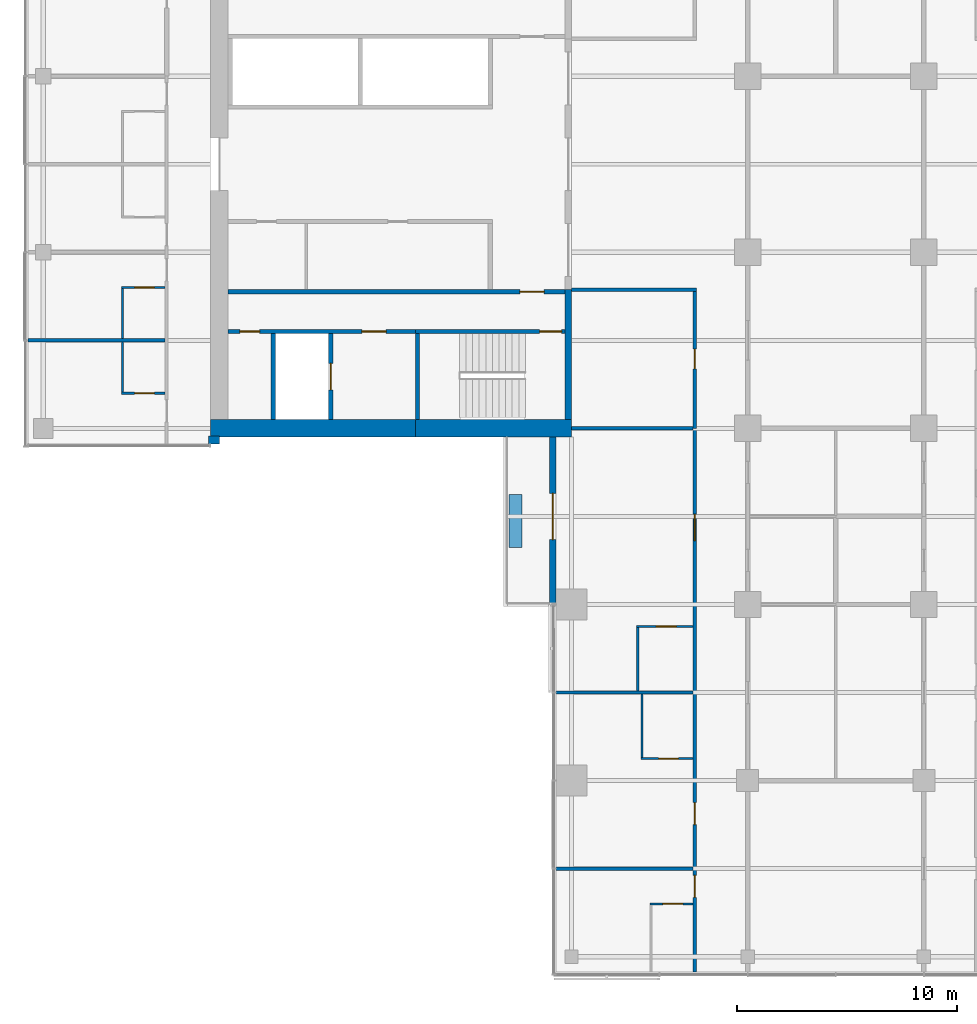
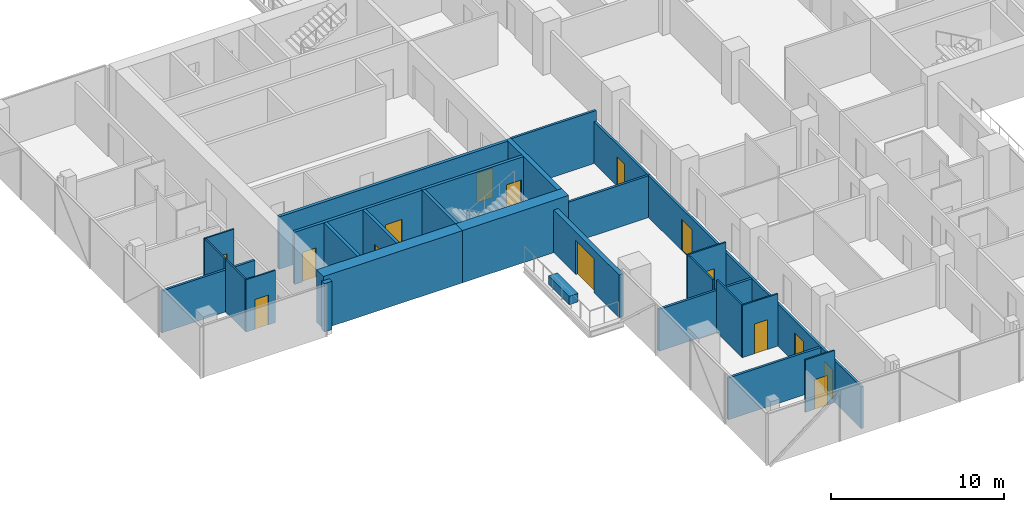
# One storey, part 15 of 27: 28 walls, 15 doors, 15 openings.
"""IFC4 building model written with IfcOpenShell, lengths in metres."""

from ifc_helpers import new_model, si_unit, direction, frame, frame_2d, origin, place, context, subcontext, project, spatial, rectangle, extrude, material, layer, layer_set, constituent, constituent_set, type_object, element, fill, save


model = new_model("IFC4")

# Units and contexts
model_context = context("Model", 3, precision=1e-05, world=origin(), true_north=direction((0.0, 1.0)))
body_context = subcontext(model_context, "Body", "Model", "MODEL_VIEW")
ifc_project = project(units=[si_unit("LENGTHUNIT", "METRE"), si_unit("AREAUNIT", "SQUARE_METRE"), si_unit("VOLUMEUNIT", "CUBIC_METRE"), si_unit("PLANEANGLEUNIT", "RADIAN"), si_unit("MASSUNIT", "GRAM", prefix="KILO")], contexts=[model_context])

# Site, building, storey
site_placement = place(None, origin())
site = spatial("IfcSite", under=ifc_project, at=site_placement, CompositionType="ELEMENT")
building_placement = place(site_placement, origin())
building = spatial("IfcBuilding", under=site, at=building_placement, Name="Crosswind Convention Tower", CompositionType="ELEMENT")
storey_placement = place(building_placement, frame((0.0, 0.0, 75.699951171875)))
storey = spatial("IfcBuildingStorey", under=building, at=storey_placement, Name="L13", CompositionType="ELEMENT", Elevation=75.699951171875)

# Wall
ifc_material_1 = material(Name="Plasterboard partition", Category="gypsum")
ifc_layer_1 = layer(ifc_material_1, 0.14990234375)
ifc_layer_set_1 = layer_set([ifc_layer_1], Name="CORRIDOR WALL 150")
wall_type_1 = type_object("IfcWallType", Name="CORRIDOR WALL 150", PredefinedType="PARTITIONING", material=ifc_layer_set_1)
wall_1_placement = place(storey_placement, frame((113.0, 94.300048828125, 0.0), z_axis=(0.0, 0.0, 1.0), x_axis=(1.0, 0.0, 0.0)))
element("IfcWall", 1, at=wall_1_placement, inside=storey, type_object=wall_type_1, Name="Corridor Wall 23", PredefinedType="PARTITIONING", context=body_context, shape_type="SweptSolid", body=[
    extrude(rectangle(XDim=5.675048828125, YDim=0.14990234375, at=frame_2d((2.83740234375, 0.0))), origin(), (0.0, 0.0, 1.0), 3.699951171875),
])

# Wall, opening, door
wall_2_placement = place(storey_placement, frame((118.60009765625, 88.0, 0.0), z_axis=(0.0, 0.0, 1.0), x_axis=(0.0, 1.0, 0.0)))
wall_2 = element("IfcWall", 2, at=wall_2_placement, inside=storey, type_object=wall_type_1, Name="Corridor Wall 74", PredefinedType="PARTITIONING", context=body_context, shape_type="SweptSolid", body=[
    extrude(rectangle(XDim=6.22509765625, YDim=0.14990234375, at=frame_2d((3.112548828125, 0.0))), origin(), (0.0, 0.0, 1.0), 2.95654296875),
])
opening_1_placement = place(wall_2_placement, frame((2.699951171875, 0.0, 0.0)))
opening_1 = element("IfcOpeningElement", 3, at=opening_1_placement, cuts=wall_2, Name="Opening 13.004", PredefinedType="OPENING", context=body_context, shape_type="SweptSolid", body=[
    extrude(rectangle(XDim=0.89990234375, YDim=2.10009765625, at=frame_2d((0.449951171875, 1.050048828125))), frame((0.0, 0.0849609375, 0.0), z_axis=(0.0, -1.0, 0.0), x_axis=(1.0, 0.0, 0.0)), (0.0, 0.0, 1.0), 0.169921875),
])
ifc_material_2 = material(Name="Timber door", Category="wood")
door_type_1 = type_object("IfcDoorType", Name="WC DOOR 900X2100", OperationType="NOTDEFINED", PredefinedType="DOOR", material=ifc_material_2)
door_1_placement = place(opening_1_placement, origin())
door_1 = element("IfcDoor", 4, at=door_1_placement, inside=storey, type_object=door_type_1, Name="Door 13.004", ObjectType="D7", OperationType="SINGLE_SWING_RIGHT", OverallHeight=2.10009765625, OverallWidth=0.89990234375, PredefinedType="DOOR", context=body_context, shape_type="SweptSolid", body=[
    extrude(rectangle(XDim=0.89990234375, YDim=2.10009765625, at=frame_2d((0.449951171875, 1.050048828125))), frame((0.0, 0.02490234375, 0.0), z_axis=(0.0, -1.0, 0.0), x_axis=(1.0, 0.0, 0.0)), (0.0, 0.0, 1.0), 0.050048828125),
])
fill(opening_1, door_1)

# Wall
ifc_material_3 = material(Name="Concrete C50/60", Category="concrete")
ifc_layer_2 = layer(ifc_material_3, 0.300048828125)
ifc_layer_set_2 = layer_set([ifc_layer_2], Name="Concrete C50/60")
wall_type_2 = type_object("IfcWallType", Name="Concrete inner core wall 300", PredefinedType="SHEAR", material=ifc_layer_set_2)
wall_3_placement = place(storey_placement, frame((112.85009765625, 94.300048828125, 0.0), z_axis=(0.0, 0.0, 1.0), x_axis=(0.0, -1.0, 0.0)))
element("IfcWall", 5, at=wall_3_placement, inside=storey, type_object=wall_type_2, Name="Wall EP W L13", PredefinedType="SHEAR", context=body_context, shape_type="SweptSolid", body=[
    extrude(rectangle(XDim=5.900146484375, YDim=0.300048828125, at=frame_2d((2.9501953125, 0.0))), origin(), (0.0, 0.0, 1.0), 3.699951171875),
])

# Wall, opening, door
ifc_layer_3 = layer(ifc_material_3, 0.199951171875)
ifc_layer_set_3 = layer_set([ifc_layer_3], Name="Concrete C50/60")
wall_type_3 = type_object("IfcWallType", Name="Concrete shaft and stair wall 200", PredefinedType="SHEAR", material=ifc_layer_set_3)
wall_4_placement = place(storey_placement, frame((112.699951171875, 94.199951171875, 0.0), z_axis=(0.0, 0.0, 1.0), x_axis=(-1.0, 0.0, 0.0)))
wall_4 = element("IfcWall", 6, at=wall_4_placement, inside=storey, type_object=wall_type_3, Name="Wall HP W L13", PredefinedType="SHEAR", context=body_context, shape_type="SweptSolid", body=[
    extrude(rectangle(XDim=15.300048828125, YDim=0.199951171875, at=frame_2d((7.64990234375, 0.0))), origin(), (0.0, 0.0, 1.0), 3.699951171875),
])
opening_2_placement = place(wall_4_placement, frame((0.949951171875, 0.0, 0.0)))
opening_2 = element("IfcOpeningElement", 7, at=opening_2_placement, cuts=wall_4, Name="Opening D104", PredefinedType="OPENING", context=body_context, shape_type="SweptSolid", body=[
    extrude(rectangle(XDim=1.10009765625, YDim=2.10009765625, at=frame_2d((0.550048828125, 1.050048828125))), frame((0.0, 0.10986328125, 0.0), z_axis=(0.0, -1.0, 0.0), x_axis=(1.0, 0.0, 0.0)), (0.0, 0.0, 1.0), 0.219970703125),
])
ifc_material_4 = material(Name="Steel fire door", Category="steel")
door_type_2 = type_object("IfcDoorType", Name="Fire-rated single door 1100x2100", OperationType="NOTDEFINED", PredefinedType="DOOR", material=ifc_material_4)
door_2_placement = place(opening_2_placement, origin())
door_2 = element("IfcDoor", 8, at=door_2_placement, inside=storey, type_object=door_type_2, Name="Corridor door L13", ObjectType="D104", OperationType="SINGLE_SWING_LEFT", OverallHeight=2.10009765625, OverallWidth=1.10009765625, PredefinedType="DOOR", context=body_context, shape_type="SweptSolid", body=[
    extrude(rectangle(XDim=1.10009765625, YDim=2.10009765625, at=frame_2d((0.550048828125, 1.050048828125))), frame((0.0, 0.02490234375, 0.0), z_axis=(0.0, -1.0, 0.0), x_axis=(1.0, 0.0, 0.0)), (0.0, 0.0, 1.0), 0.050048828125),
])
fill(opening_2, door_2)

# Wall
wall_5_placement = place(storey_placement, frame((106.0, 92.300048828125, 0.0), z_axis=(0.0, 0.0, 1.0), x_axis=(0.0, -1.0, 0.0)))
element("IfcWall", 9, at=wall_5_placement, inside=storey, type_object=wall_type_3, Name="Wall PSE W L13", PredefinedType="SHEAR", context=body_context, shape_type="SweptSolid", body=[
    extrude(rectangle(XDim=3.900146484375, YDim=0.199951171875, at=frame_2d((1.9501953125, 0.0))), origin(), (0.0, 0.0, 1.0), 3.699951171875),
])

# Wall, opening, door
wall_6_placement = place(storey_placement, frame((102.050048828125, 92.300048828125, 0.0), z_axis=(0.0, 0.0, 1.0), x_axis=(0.0, -1.0, 0.0)))
wall_6 = element("IfcWall", 10, at=wall_6_placement, inside=storey, type_object=wall_type_3, Name="Wall PFLW W L13", PredefinedType="SHEAR", context=body_context, shape_type="SweptSolid", body=[
    extrude(rectangle(XDim=3.900146484375, YDim=0.199951171875, at=frame_2d((1.9501953125, 0.0))), origin(), (0.0, 0.0, 1.0), 3.699951171875),
])
opening_3_placement = place(wall_6_placement, frame((1.35009765625, 0.0, 0.0)))
opening_3 = element("IfcOpeningElement", 11, at=opening_3_placement, cuts=wall_6, Name="Opening LD1", PredefinedType="OPENING", context=body_context, shape_type="SweptSolid", body=[
    extrude(rectangle(XDim=1.199951171875, YDim=2.10009765625, at=frame_2d((0.60009765625, 1.050048828125))), frame((0.0, 0.10986328125, 0.0), z_axis=(0.0, -1.0, 0.0), x_axis=(1.0, 0.0, 0.0)), (0.0, 0.0, 1.0), 0.219970703125),
])
ifc_material_5 = material(Name="Stainless steel", Category="steel")
door_type_3 = type_object("IfcDoorType", Name="Lift landing door 1200x2100", OperationType="DOUBLE_DOOR_SLIDING", PredefinedType="DOOR", material=ifc_material_5)
door_3_placement = place(opening_3_placement, origin())
door_3 = element("IfcDoor", 12, at=door_3_placement, inside=storey, type_object=door_type_3, Name="Landing door FF2 L13", ObjectType="LD1", OperationType="DOUBLE_DOOR_SLIDING", OverallHeight=2.10009765625, OverallWidth=1.199951171875, PredefinedType="DOOR", context=body_context, shape_type="SweptSolid", body=[
    extrude(rectangle(XDim=1.199951171875, YDim=2.10009765625, at=frame_2d((0.60009765625, 1.050048828125))), frame((0.0, 0.02490234375, 0.0), z_axis=(0.0, -1.0, 0.0), x_axis=(1.0, 0.0, 0.0)), (0.0, 0.0, 1.0), 0.050048828125),
])
fill(opening_3, door_3)

# Wall
wall_7_placement = place(storey_placement, frame((99.449951171875, 92.300048828125, 0.0), z_axis=(0.0, 0.0, 1.0), x_axis=(0.0, -1.0, 0.0)))
element("IfcWall", 13, at=wall_7_placement, inside=storey, type_object=wall_type_3, Name="Wall PFSE W L13", PredefinedType="SHEAR", context=body_context, shape_type="SweptSolid", body=[
    extrude(rectangle(XDim=3.900146484375, YDim=0.199951171875, at=frame_2d((1.9501953125, 0.0))), origin(), (0.0, 0.0, 1.0), 3.699951171875),
])

# Wall, opening, door
wall_8_placement = place(storey_placement, frame((112.699951171875, 92.39990234375, 0.0), z_axis=(0.0, 0.0, 1.0), x_axis=(-1.0, 0.0, 0.0)))
wall_8 = element("IfcWall", 14, at=wall_8_placement, inside=storey, type_object=wall_type_3, Name="Wall PCW W L13", PredefinedType="SHEAR", context=body_context, shape_type="SweptSolid", body=[
    extrude(rectangle(XDim=6.800048828125, YDim=0.199951171875, at=frame_2d((3.39990234375, 0.0))), origin(), (0.0, 0.0, 1.0), 3.699951171875),
])
opening_4_placement = place(wall_8_placement, frame((0.14990234375, 0.0, 0.0)))
opening_4 = element("IfcOpeningElement", 15, at=opening_4_placement, cuts=wall_8, Name="Opening D103", PredefinedType="OPENING", context=body_context, shape_type="SweptSolid", body=[
    extrude(rectangle(XDim=1.0, YDim=2.10009765625, at=frame_2d((0.5, 1.050048828125))), frame((0.0, 0.10986328125, 0.0), z_axis=(0.0, -1.0, 0.0), x_axis=(1.0, 0.0, 0.0)), (0.0, 0.0, 1.0), 0.219970703125),
])
door_type_4 = type_object("IfcDoorType", Name="Fire-rated single door 1000x2100", OperationType="NOTDEFINED", PredefinedType="DOOR", material=ifc_material_4)
door_4_placement = place(opening_4_placement, origin())
door_4 = element("IfcDoor", 16, at=door_4_placement, inside=storey, type_object=door_type_4, Name="Stair ST3 door L13", ObjectType="D103", OperationType="SINGLE_SWING_LEFT", OverallHeight=2.10009765625, OverallWidth=1.0, PredefinedType="DOOR", context=body_context, shape_type="SweptSolid", body=[
    extrude(rectangle(XDim=1.0, YDim=2.10009765625, at=frame_2d((0.5, 1.050048828125))), frame((0.0, 0.02490234375, 0.0), z_axis=(0.0, -1.0, 0.0), x_axis=(1.0, 0.0, 0.0)), (0.0, 0.0, 1.0), 0.050048828125),
])
fill(opening_4, door_4)

# Wall, openings, doors
wall_9_placement = place(storey_placement, frame((105.89990234375, 92.39990234375, 0.0), z_axis=(0.0, 0.0, 1.0), x_axis=(-1.0, 0.0, 0.0)))
wall_9 = element("IfcWall", 17, at=wall_9_placement, inside=storey, type_object=wall_type_3, Name="Wall PCX W L13", PredefinedType="SHEAR", context=body_context, shape_type="SweptSolid", body=[
    extrude(rectangle(XDim=8.5, YDim=0.199951171875, at=frame_2d((4.25, 0.0))), origin(), (0.0, 0.0, 1.0), 3.699951171875),
])
opening_5_placement = place(wall_9_placement, frame((1.324951171875, 0.0, 0.0)))
opening_5 = element("IfcOpeningElement", 18, at=opening_5_placement, cuts=wall_9, Name="Opening D104", PredefinedType="OPENING", context=body_context, shape_type="SweptSolid", body=[
    extrude(rectangle(XDim=1.10009765625, YDim=2.10009765625, at=frame_2d((0.550048828125, 1.050048828125))), frame((0.0, 0.10986328125, 0.0), z_axis=(0.0, -1.0, 0.0), x_axis=(1.0, 0.0, 0.0)), (0.0, 0.0, 1.0), 0.219970703125),
])
opening_6_placement = place(wall_9_placement, frame((7.074951171875, 0.0, 0.0)))
opening_6 = element("IfcOpeningElement", 19, at=opening_6_placement, cuts=wall_9, Name="Opening D106", PredefinedType="OPENING", context=body_context, shape_type="SweptSolid", body=[
    extrude(rectangle(XDim=0.89990234375, YDim=2.10009765625, at=frame_2d((0.449951171875, 1.050048828125))), frame((0.0, 0.10986328125, 0.0), z_axis=(0.0, -1.0, 0.0), x_axis=(1.0, 0.0, 0.0)), (0.0, 0.0, 1.0), 0.219970703125),
])
door_5_placement = place(opening_5_placement, origin())
door_5 = element("IfcDoor", 20, at=door_5_placement, inside=storey, type_object=door_type_2, Name="Fire-fighting lobby FF2 door L13", ObjectType="D104", OperationType="SINGLE_SWING_RIGHT", OverallHeight=2.10009765625, OverallWidth=1.10009765625, PredefinedType="DOOR", context=body_context, shape_type="SweptSolid", body=[
    extrude(rectangle(XDim=1.10009765625, YDim=2.10009765625, at=frame_2d((0.550048828125, 1.050048828125))), frame((0.0, 0.02490234375, 0.0), z_axis=(0.0, -1.0, 0.0), x_axis=(1.0, 0.0, 0.0)), (0.0, 0.0, 1.0), 0.050048828125),
])
fill(opening_5, door_5)
door_type_5 = type_object("IfcDoorType", Name="Single leaf door 900x2100", OperationType="NOTDEFINED", PredefinedType="DOOR", material=ifc_material_2)
door_6_placement = place(opening_6_placement, origin())
door_6 = element("IfcDoor", 21, at=door_6_placement, inside=storey, type_object=door_type_5, Name="Door to comms room L13", ObjectType="D106", OperationType="SINGLE_SWING_RIGHT", OverallHeight=2.10009765625, OverallWidth=0.89990234375, PredefinedType="DOOR", context=body_context, shape_type="SweptSolid", body=[
    extrude(rectangle(XDim=0.89990234375, YDim=2.10009765625, at=frame_2d((0.449951171875, 1.050048828125))), frame((0.0, 0.02490234375, 0.0), z_axis=(0.0, -1.0, 0.0), x_axis=(1.0, 0.0, 0.0)), (0.0, 0.0, 1.0), 0.050048828125),
])
fill(opening_6, door_6)

# Walls
ifc_material_6 = material(Name="Acoustic plasterboard partition", Category="gypsum")
ifc_layer_4 = layer(ifc_material_6, 0.14990234375)
ifc_layer_set_4 = layer_set([ifc_layer_4], Name="GUEST ROOM WALL 150")
wall_type_4 = type_object("IfcWallType", Name="GUEST ROOM WALL 150", PredefinedType="PARTITIONING", material=ifc_layer_set_4)
for number, where, z_axis, x_axis, name in (
    (22, (112.300048828125, 68.0, 0.0), (0.0, 0.0, 1.0), (1.0, 0.0, 0.0), "Guest Room Wall 2"),
    (23, (112.300048828125, 76.0, 0.0), (0.0, 0.0, 1.0), (1.0, 0.0, 0.0), "Guest Room Wall 7"),
):
    element("IfcWall", number, at=place(storey_placement, frame(where, z_axis=z_axis, x_axis=x_axis)), inside=storey, type_object=wall_type_4, Name=name, PredefinedType="PARTITIONING", context=body_context, shape_type="SweptSolid", body=[
        extrude(rectangle(XDim=6.224853515625, YDim=0.14990234375, at=frame_2d((3.1123046875, 0.0))), origin(), (0.0, 0.0, 1.0), 2.962890625),
    ])
wall_10_placement = place(storey_placement, frame((113.0, 88.0, 0.0), z_axis=(0.0, 0.0, 1.0), x_axis=(1.0, 0.0, 0.0)))
element("IfcWall", 24, at=wall_10_placement, inside=storey, type_object=wall_type_4, Name="Guest Room Wall 17", PredefinedType="PARTITIONING", context=body_context, shape_type="SweptSolid", body=[
    extrude(rectangle(XDim=5.52490234375, YDim=0.14990234375, at=frame_2d((2.762451171875, 0.0))), origin(), (0.0, 0.0, 1.0), 2.95654296875),
])
wall_11_placement = place(storey_placement, frame((88.300048828125, 92.0, 0.0), z_axis=(0.0, 0.0, 1.0), x_axis=(1.0, 0.0, 0.0)))
element("IfcWall", 25, at=wall_11_placement, inside=storey, type_object=wall_type_4, Name="Guest Room Wall 21", PredefinedType="PARTITIONING", context=body_context, shape_type="SweptSolid", body=[
    extrude(rectangle(XDim=6.224853515625, YDim=0.14990234375, at=frame_2d((3.1123046875, 0.0))), origin(), (0.0, 0.0, 1.0), 2.962890625),
])

# Wall, openings, doors
wall_12_placement = place(storey_placement, frame((118.60009765625, 63.300048828125, 0.0), z_axis=(0.0, 0.0, 1.0), x_axis=(0.0, 1.0, 0.0)))
wall_12 = element("IfcWall", 26, at=wall_12_placement, inside=storey, type_object=wall_type_4, Name="Guest Room Wall 73", PredefinedType="PARTITIONING", context=body_context, shape_type="SweptSolid", body=[
    extrude(rectangle(XDim=24.699951171875, YDim=0.14990234375, at=frame_2d((12.35009765625, 0.0))), origin(), (0.0, 0.0, 1.0), 2.95654296875),
])
opening_7_placement = place(wall_12_placement, frame((19.60009765625, 0.0, 0.0)))
opening_7 = element("IfcOpeningElement", 27, at=opening_7_placement, cuts=wall_12, Name="Opening 13.027", PredefinedType="OPENING", context=body_context, shape_type="SweptSolid", body=[
    extrude(rectangle(XDim=1.199951171875, YDim=2.199951171875, at=frame_2d((0.60009765625, 1.10009765625))), frame((0.0, 0.0849609375, 0.0), z_axis=(0.0, -1.0, 0.0), x_axis=(1.0, 0.0, 0.0)), (0.0, 0.0, 1.0), 0.169921875),
])
opening_8_placement = place(wall_12_placement, frame((6.699951171875, 0.0, 0.0)))
opening_8 = element("IfcOpeningElement", 28, at=opening_8_placement, cuts=wall_12, Name="Opening 13.029", PredefinedType="OPENING", context=body_context, shape_type="SweptSolid", body=[
    extrude(rectangle(XDim=1.0, YDim=2.10009765625, at=frame_2d((0.5, 1.050048828125))), frame((0.0, 0.0849609375, 0.0), z_axis=(0.0, -1.0, 0.0), x_axis=(1.0, 0.0, 0.0)), (0.0, 0.0, 1.0), 0.169921875),
])
opening_9_placement = place(wall_12_placement, frame((3.39990234375, 0.0, 0.0)))
opening_9 = element("IfcOpeningElement", 29, at=opening_9_placement, cuts=wall_12, Name="Opening 13.031", PredefinedType="OPENING", context=body_context, shape_type="SweptSolid", body=[
    extrude(rectangle(XDim=1.0, YDim=2.10009765625, at=frame_2d((0.5, 1.050048828125))), frame((0.0, 0.0849609375, 0.0), z_axis=(0.0, -1.0, 0.0), x_axis=(1.0, 0.0, 0.0)), (0.0, 0.0, 1.0), 0.169921875),
])
ifc_material_7 = material(Name="Timber fire door", Category="wood")
door_type_6 = type_object("IfcDoorType", Name="GUEST ROOM DOOR 1000X2100", OperationType="NOTDEFINED", PredefinedType="DOOR", material=ifc_material_7)
door_7_placement = place(opening_8_placement, origin())
door_7 = element("IfcDoor", 30, at=door_7_placement, inside=storey, type_object=door_type_6, Name="Door 13.029", ObjectType="D1", OperationType="SINGLE_SWING_RIGHT", OverallHeight=2.10009765625, OverallWidth=1.0, PredefinedType="DOOR", context=body_context, shape_type="SweptSolid", body=[
    extrude(rectangle(XDim=1.0, YDim=2.10009765625, at=frame_2d((0.5, 1.050048828125))), frame((0.0, 0.02490234375, 0.0), z_axis=(0.0, -1.0, 0.0), x_axis=(1.0, 0.0, 0.0)), (0.0, 0.0, 1.0), 0.050048828125),
])
fill(opening_8, door_7)
door_8_placement = place(opening_9_placement, origin())
door_8 = element("IfcDoor", 31, at=door_8_placement, inside=storey, type_object=door_type_6, Name="Door 13.031", ObjectType="D1", OperationType="SINGLE_SWING_RIGHT", OverallHeight=2.10009765625, OverallWidth=1.0, PredefinedType="DOOR", context=body_context, shape_type="SweptSolid", body=[
    extrude(rectangle(XDim=1.0, YDim=2.10009765625, at=frame_2d((0.5, 1.050048828125))), frame((0.0, 0.02490234375, 0.0), z_axis=(0.0, -1.0, 0.0), x_axis=(1.0, 0.0, 0.0)), (0.0, 0.0, 1.0), 0.050048828125),
])
fill(opening_9, door_8)
door_type_7 = type_object("IfcDoorType", Name="SUITE DOOR 1200X2200", OperationType="DOUBLE_DOOR_SINGLE_SWING", PredefinedType="DOOR", material=ifc_material_7)
door_9_placement = place(opening_7_placement, origin())
door_9 = element("IfcDoor", 32, at=door_9_placement, inside=storey, type_object=door_type_7, Name="Door 13.027", ObjectType="D14", OperationType="DOUBLE_DOOR_SINGLE_SWING", OverallHeight=2.199951171875, OverallWidth=1.199951171875, PredefinedType="DOOR", context=body_context, shape_type="SweptSolid", body=[
    extrude(rectangle(XDim=1.199951171875, YDim=2.199951171875, at=frame_2d((0.60009765625, 1.10009765625))), frame((0.0, 0.02490234375, 0.0), z_axis=(0.0, -1.0, 0.0), x_axis=(1.0, 0.0, 0.0)), (0.0, 0.0, 1.0), 0.050048828125),
])
fill(opening_7, door_9)

# Walls
ifc_material_8 = material(Name="Concrete C30/37", Category="concrete")
ifc_layer_5 = layer(ifc_material_8, 0.60009765625)
ifc_layer_set_5 = layer_set([ifc_layer_5], Name="Concrete C30/37")
wall_type_5 = type_object("IfcWallType", Name="PLANTER BOX WALL 600", PredefinedType="SOLIDWALL", material=ifc_layer_set_5)
wall_13_placement = place(storey_placement, frame((110.449951171875, 85.0, 0.0), z_axis=(0.0, 0.0, 1.0), x_axis=(0.0, -1.0, 0.0)))
element("IfcWall", 33, at=wall_13_placement, inside=storey, type_object=wall_type_5, Name="PLANTER L13 S-W.1-1", PredefinedType="SOLIDWALL", context=body_context, shape_type="SweptSolid", body=[
    extrude(rectangle(XDim=2.39990234375, YDim=0.60009765625, at=frame_2d((1.199951171875, 0.0))), origin(), (0.0, 0.0, 1.0), 0.60009765625),
])
ifc_material_9 = material(Name="Terracotta rainscreen", Category="ceramic")
ifc_layer_6 = layer(ifc_material_9, 0.02001953125)
ifc_material_10 = material(Name="Mineral wool insulation", Category="insulation")
ifc_layer_7 = layer(ifc_material_10, 0.10009765625)
ifc_material_11 = material(Name="Concrete blockwork", Category="masonry")
ifc_layer_8 = layer(ifc_material_11, 0.236083984375)
ifc_layer_set_6 = layer_set([ifc_layer_6, ifc_layer_7, ifc_layer_8], Name="TERRACOTTA CORNER INFILL WALL 356")
wall_type_6 = type_object("IfcWallType", Name="TERRACOTTA CORNER INFILL WALL 356", PredefinedType="SOLIDWALL", material=ifc_layer_set_6)
wall_14_placement = place(storey_placement, frame((96.4951171875, 87.47802734375, 0.0), z_axis=(0.0, 0.0, 1.0), x_axis=(1.0, 0.0, 0.0)))
element("IfcWall", 34, at=wall_14_placement, inside=storey, type_object=wall_type_6, Name="Core corner infill wall L13 3", PredefinedType="SOLIDWALL", context=body_context, shape_type="SweptSolid", body=[
    extrude(rectangle(XDim=0.5048828125, YDim=0.35595703125, at=frame_2d((0.25244140625, 0.0))), origin(), (0.0, 0.0, 1.0), 3.420166015625),
])

# Wall, opening, door
ifc_layer_9 = layer(ifc_material_9, 0.02001953125)
ifc_layer_10 = layer(ifc_material_10, 0.10009765625)
ifc_layer_11 = layer(ifc_material_11, 0.179931640625)
ifc_layer_set_7 = layer_set([ifc_layer_9, ifc_layer_10, ifc_layer_11], Name="TERRACOTTA INFILL WALL 300")
wall_type_7 = type_object("IfcWallType", Name="TERRACOTTA INFILL WALL 300", PredefinedType="SOLIDWALL", material=ifc_layer_set_7)
wall_15_placement = place(storey_placement, frame((112.14990234375, 87.60009765625, 0.0), z_axis=(0.0, 0.0, 1.0), x_axis=(0.0, -1.0, 0.0)))
wall_15 = element("IfcWall", 35, at=wall_15_placement, inside=storey, type_object=wall_type_7, Name="Notch front wall L13 S-W.1-1", PredefinedType="SOLIDWALL", context=body_context, shape_type="SweptSolid", body=[
    extrude(rectangle(XDim=7.567626953125, YDim=0.300048828125, at=frame_2d((3.78369140625, 0.0))), origin(), (0.0, 0.0, 1.0), 3.013671875),
])
opening_10_placement = place(wall_15_placement, frame((2.550048828125, 0.0, 0.0)))
opening_10 = element("IfcOpeningElement", 36, at=opening_10_placement, cuts=wall_15, Name="Opening D141", PredefinedType="OPENING", context=body_context, shape_type="SweptSolid", body=[
    extrude(rectangle(XDim=2.10009765625, YDim=2.39990234375, at=frame_2d((1.050048828125, 1.199951171875))), frame((0.0, 0.159912109375, 0.0), z_axis=(0.0, -1.0, 0.0), x_axis=(1.0, 0.0, 0.0)), (0.0, 0.0, 1.0), 0.320068359375),
])
ifc_material_12 = material(Name="Aluminium glazed door", Category="aluminium")
door_type_8 = type_object("IfcDoorType", Name="BALCONY SLIDING DOOR 2100X2400", OperationType="SLIDING_TO_LEFT", PredefinedType="DOOR", material=ifc_material_12)
door_10_placement = place(opening_10_placement, frame((2.10009765625, 0.0, 0.0), z_axis=(0.0, 0.0, 1.0), x_axis=(-1.0, 0.0, 0.0)))
door_10 = element("IfcDoor", 37, at=door_10_placement, inside=storey, type_object=door_type_8, Name="D141 balcony door L13 S-W.1-1", ObjectType="D141", OperationType="SLIDING_TO_LEFT", OverallHeight=2.39990234375, OverallWidth=2.10009765625, PredefinedType="DOOR", context=body_context, shape_type="SweptSolid", body=[
    extrude(rectangle(XDim=2.10009765625, YDim=2.39990234375, at=frame_2d((1.050048828125, 1.199951171875))), frame((0.0, 0.02490234375, 0.0), z_axis=(0.0, -1.0, 0.0), x_axis=(1.0, 0.0, 0.0)), (0.0, 0.0, 1.0), 0.050048828125),
])
fill(opening_10, door_10)

# Walls
ifc_material_13 = material(Name="Concrete C60/75", Category="concrete")
ifc_constituent_1 = constituent(ifc_material_13, Name="Structure")
ifc_constituent_2 = constituent(ifc_material_9, Name="Facing")
ifc_constituent_set = constituent_set(constituents=[ifc_constituent_1, ifc_constituent_2], Name="Concrete C60/75, Terracotta rainscreen")
wall_type_8 = type_object("IfcWallType", Name="Terracotta rainscreen on concrete core wall 800", PredefinedType="SHEAR", material=ifc_constituent_set)
wall_16_placement = place(storey_placement, frame((113.0, 88.0, 0.0), z_axis=(0.0, 0.0, 1.0), x_axis=(-1.0, 0.0, 0.0)))
element("IfcWall", 38, at=wall_16_placement, inside=storey, type_object=wall_type_8, Name="Wall N1 W L13", PredefinedType="SHEAR", context=body_context, shape_type="SweptSolid", body=[
    extrude(rectangle(XDim=7.10009765625, YDim=0.800048828125, at=frame_2d((3.550048828125, 0.0))), origin(), (0.0, 0.0, 1.0), 3.699951171875),
])
wall_17_placement = place(storey_placement, frame((105.89990234375, 88.0, 0.0), z_axis=(0.0, 0.0, 1.0), x_axis=(-1.0, 0.0, 0.0)))
element("IfcWall", 39, at=wall_17_placement, inside=storey, type_object=wall_type_8, Name="Wall N2 W L13", PredefinedType="SHEAR", context=body_context, shape_type="SweptSolid", body=[
    extrude(rectangle(XDim=9.2998046875, YDim=0.800048828125, at=frame_2d((4.64990234375, 0.0))), origin(), (0.0, 0.0, 1.0), 3.699951171875),
])

# Wall, opening, door
ifc_material_14 = material(Name="Water-resistant plasterboard partition", Category="gypsum")
ifc_layer_12 = layer(ifc_material_14, 0.10009765625)
ifc_layer_set_8 = layer_set([ifc_layer_12], Name="WET ROOM PARTITION 100")
wall_type_9 = type_object("IfcWallType", Name="WET ROOM PARTITION 100", PredefinedType="PLUMBINGWALL", material=ifc_layer_set_8)
wall_18_placement = place(storey_placement, frame((116.550048828125, 66.39990234375, 0.0), z_axis=(0.0, 0.0, 1.0), x_axis=(1.0, 0.0, 0.0)))
wall_18 = element("IfcWall", 40, at=wall_18_placement, inside=storey, type_object=wall_type_9, Name="Wet Room Partition 1", PredefinedType="PLUMBINGWALL", context=body_context, shape_type="SweptSolid", body=[
    extrude(rectangle(XDim=1.974853515625, YDim=0.10009765625, at=frame_2d((0.9873046875, 0.0))), origin(), (0.0, 0.0, 1.0), 3.699951171875),
])
opening_11_placement = place(wall_18_placement, frame((0.60009765625, 0.0, 0.0)))
opening_11 = element("IfcOpeningElement", 41, at=opening_11_placement, cuts=wall_18, Name="Opening 13.032", PredefinedType="OPENING", context=body_context, shape_type="SweptSolid", body=[
    extrude(rectangle(XDim=0.89990234375, YDim=2.10009765625, at=frame_2d((0.449951171875, 1.050048828125))), frame((0.0, 0.06005859375, 0.0), z_axis=(0.0, -1.0, 0.0), x_axis=(1.0, 0.0, 0.0)), (0.0, 0.0, 1.0), 0.1201171875),
])
door_type_9 = type_object("IfcDoorType", Name="EN-SUITE DOOR 900X2100", OperationType="NOTDEFINED", PredefinedType="DOOR", material=ifc_material_2)
door_11_placement = place(opening_11_placement, frame((0.89990234375, 0.0, 0.0), z_axis=(0.0, 0.0, 1.0), x_axis=(-1.0, 0.0, 0.0)))
door_11 = element("IfcDoor", 42, at=door_11_placement, inside=storey, type_object=door_type_9, Name="Door 13.032", ObjectType="D2", OperationType="SINGLE_SWING_LEFT", OverallHeight=2.10009765625, OverallWidth=0.89990234375, PredefinedType="DOOR", context=body_context, shape_type="SweptSolid", body=[
    extrude(rectangle(XDim=0.89990234375, YDim=2.10009765625, at=frame_2d((0.449951171875, 1.050048828125))), frame((0.0, 0.02490234375, 0.0), z_axis=(0.0, -1.0, 0.0), x_axis=(1.0, 0.0, 0.0)), (0.0, 0.0, 1.0), 0.050048828125),
])
fill(opening_11, door_11)

wall_19_placement = place(storey_placement, frame((116.14990234375, 73.0, 0.0), z_axis=(0.0, 0.0, 1.0), x_axis=(1.0, 0.0, 0.0)))
wall_19 = element("IfcWall", 43, at=wall_19_placement, inside=storey, type_object=wall_type_9, Name="Wet Room Partition 5", PredefinedType="PLUMBINGWALL", context=body_context, shape_type="SweptSolid", body=[
    extrude(rectangle(XDim=2.375, YDim=0.10009765625, at=frame_2d((1.1875, 0.0))), origin(), (0.0, 0.0, 1.0), 3.699951171875),
])
opening_12_placement = place(wall_19_placement, frame((0.800048828125, 0.0, 0.0)))
opening_12 = element("IfcOpeningElement", 44, at=opening_12_placement, cuts=wall_19, Name="Opening 13.030", PredefinedType="OPENING", context=body_context, shape_type="SweptSolid", body=[
    extrude(rectangle(XDim=0.89990234375, YDim=2.10009765625, at=frame_2d((0.449951171875, 1.050048828125))), frame((0.0, 0.06005859375, 0.0), z_axis=(0.0, -1.0, 0.0), x_axis=(1.0, 0.0, 0.0)), (0.0, 0.0, 1.0), 0.1201171875),
])
door_12_placement = place(opening_12_placement, origin())
door_12 = element("IfcDoor", 45, at=door_12_placement, inside=storey, type_object=door_type_9, Name="Door 13.030", ObjectType="D2", OperationType="SINGLE_SWING_RIGHT", OverallHeight=2.10009765625, OverallWidth=0.89990234375, PredefinedType="DOOR", context=body_context, shape_type="SweptSolid", body=[
    extrude(rectangle(XDim=0.89990234375, YDim=2.10009765625, at=frame_2d((0.449951171875, 1.050048828125))), frame((0.0, 0.02490234375, 0.0), z_axis=(0.0, -1.0, 0.0), x_axis=(1.0, 0.0, 0.0)), (0.0, 0.0, 1.0), 0.050048828125),
])
fill(opening_12, door_12)

wall_20_placement = place(storey_placement, frame((115.949951171875, 79.0, 0.0), z_axis=(0.0, 0.0, 1.0), x_axis=(1.0, 0.0, 0.0)))
wall_20 = element("IfcWall", 46, at=wall_20_placement, inside=storey, type_object=wall_type_9, Name="Wet Room Partition 10", PredefinedType="PLUMBINGWALL", context=body_context, shape_type="SweptSolid", body=[
    extrude(rectangle(XDim=2.574951171875, YDim=0.10009765625, at=frame_2d((1.28759765625, 0.0))), origin(), (0.0, 0.0, 1.0), 3.699951171875),
])
opening_13_placement = place(wall_20_placement, frame((0.89990234375, 0.0, 0.0)))
opening_13 = element("IfcOpeningElement", 47, at=opening_13_placement, cuts=wall_20, Name="Opening 13.028", PredefinedType="OPENING", context=body_context, shape_type="SweptSolid", body=[
    extrude(rectangle(XDim=0.89990234375, YDim=2.10009765625, at=frame_2d((0.449951171875, 1.050048828125))), frame((0.0, 0.06005859375, 0.0), z_axis=(0.0, -1.0, 0.0), x_axis=(1.0, 0.0, 0.0)), (0.0, 0.0, 1.0), 0.1201171875),
])
door_13_placement = place(opening_13_placement, frame((0.89990234375, 0.0, 0.0), z_axis=(0.0, 0.0, 1.0), x_axis=(-1.0, 0.0, 0.0)))
door_13 = element("IfcDoor", 48, at=door_13_placement, inside=storey, type_object=door_type_9, Name="Door 13.028", ObjectType="D2", OperationType="SINGLE_SWING_LEFT", OverallHeight=2.10009765625, OverallWidth=0.89990234375, PredefinedType="DOOR", context=body_context, shape_type="SweptSolid", body=[
    extrude(rectangle(XDim=0.89990234375, YDim=2.10009765625, at=frame_2d((0.449951171875, 1.050048828125))), frame((0.0, 0.02490234375, 0.0), z_axis=(0.0, -1.0, 0.0), x_axis=(1.0, 0.0, 0.0)), (0.0, 0.0, 1.0), 0.050048828125),
])
fill(opening_13, door_13)

wall_21_placement = place(storey_placement, frame((92.550048828125, 89.60009765625, 0.0), z_axis=(0.0, 0.0, 1.0), x_axis=(1.0, 0.0, 0.0)))
wall_21 = element("IfcWall", 49, at=wall_21_placement, inside=storey, type_object=wall_type_9, Name="Wet Room Partition 20", PredefinedType="PLUMBINGWALL", context=body_context, shape_type="SweptSolid", body=[
    extrude(rectangle(XDim=1.974853515625, YDim=0.10009765625, at=frame_2d((0.9873046875, 0.0))), origin(), (0.0, 0.0, 1.0), 3.699951171875),
])
opening_14_placement = place(wall_21_placement, frame((0.60009765625, 0.0, 0.0)))
opening_14 = element("IfcOpeningElement", 50, at=opening_14_placement, cuts=wall_21, Name="Opening 13.040", PredefinedType="OPENING", context=body_context, shape_type="SweptSolid", body=[
    extrude(rectangle(XDim=0.89990234375, YDim=2.10009765625, at=frame_2d((0.449951171875, 1.050048828125))), frame((0.0, 0.06005859375, 0.0), z_axis=(0.0, -1.0, 0.0), x_axis=(1.0, 0.0, 0.0)), (0.0, 0.0, 1.0), 0.1201171875),
])
door_14_placement = place(opening_14_placement, origin())
door_14 = element("IfcDoor", 51, at=door_14_placement, inside=storey, type_object=door_type_9, Name="Door 13.040", ObjectType="D2", OperationType="SINGLE_SWING_RIGHT", OverallHeight=2.10009765625, OverallWidth=0.89990234375, PredefinedType="DOOR", context=body_context, shape_type="SweptSolid", body=[
    extrude(rectangle(XDim=0.89990234375, YDim=2.10009765625, at=frame_2d((0.449951171875, 1.050048828125))), frame((0.0, 0.02490234375, 0.0), z_axis=(0.0, -1.0, 0.0), x_axis=(1.0, 0.0, 0.0)), (0.0, 0.0, 1.0), 0.050048828125),
])
fill(opening_14, door_14)

wall_22_placement = place(storey_placement, frame((92.550048828125, 94.39990234375, 0.0), z_axis=(0.0, 0.0, 1.0), x_axis=(1.0, 0.0, 0.0)))
wall_22 = element("IfcWall", 52, at=wall_22_placement, inside=storey, type_object=wall_type_9, Name="Wet Room Partition 25", PredefinedType="PLUMBINGWALL", context=body_context, shape_type="SweptSolid", body=[
    extrude(rectangle(XDim=1.974853515625, YDim=0.10009765625, at=frame_2d((0.9873046875, 0.0))), origin(), (0.0, 0.0, 1.0), 3.699951171875),
])
opening_15_placement = place(wall_22_placement, frame((0.60009765625, 0.0, 0.0)))
opening_15 = element("IfcOpeningElement", 53, at=opening_15_placement, cuts=wall_22, Name="Opening 13.042", PredefinedType="OPENING", context=body_context, shape_type="SweptSolid", body=[
    extrude(rectangle(XDim=0.89990234375, YDim=2.10009765625, at=frame_2d((0.449951171875, 1.050048828125))), frame((0.0, 0.06005859375, 0.0), z_axis=(0.0, -1.0, 0.0), x_axis=(1.0, 0.0, 0.0)), (0.0, 0.0, 1.0), 0.1201171875),
])
door_15_placement = place(opening_15_placement, frame((0.89990234375, 0.0, 0.0), z_axis=(0.0, 0.0, 1.0), x_axis=(-1.0, 0.0, 0.0)))
door_15 = element("IfcDoor", 54, at=door_15_placement, inside=storey, type_object=door_type_9, Name="Door 13.042", ObjectType="D2", OperationType="SINGLE_SWING_LEFT", OverallHeight=2.10009765625, OverallWidth=0.89990234375, PredefinedType="DOOR", context=body_context, shape_type="SweptSolid", body=[
    extrude(rectangle(XDim=0.89990234375, YDim=2.10009765625, at=frame_2d((0.449951171875, 1.050048828125))), frame((0.0, 0.02490234375, 0.0), z_axis=(0.0, -1.0, 0.0), x_axis=(1.0, 0.0, 0.0)), (0.0, 0.0, 1.0), 0.050048828125),
])
fill(opening_15, door_15)

# Walls
for number, where, z_axis, x_axis, name in (
    (55, (92.60009765625, 89.64990234375, 0.0), (0.0, 0.0, 1.0), (0.0, 1.0, 0.0), "Wet Room Partition 61"),
    (56, (92.60009765625, 92.074951171875, 0.0), (0.0, 0.0, 1.0), (0.0, 1.0, 0.0), "Wet Room Partition 62"),
):
    element("IfcWall", number, at=place(storey_placement, frame(where, z_axis=z_axis, x_axis=x_axis)), inside=storey, type_object=wall_type_9, Name=name, PredefinedType="PLUMBINGWALL", context=body_context, shape_type="SweptSolid", body=[
        extrude(rectangle(XDim=2.275146484375, YDim=0.10009765625, at=frame_2d((1.1376953125, 0.0))), origin(), (0.0, 0.0, 1.0), 3.699951171875),
    ])
for number, where, z_axis, x_axis, name in (
    (57, (116.0, 76.074951171875, 0.0), (0.0, 0.0, 1.0), (0.0, 1.0, 0.0), "Wet Room Partition 67"),
    (58, (116.199951171875, 73.050048828125, 0.0), (0.0, 0.0, 1.0), (0.0, 1.0, 0.0), "Wet Room Partition 69"),
):
    element("IfcWall", number, at=place(storey_placement, frame(where, z_axis=z_axis, x_axis=x_axis)), inside=storey, type_object=wall_type_9, Name=name, PredefinedType="PLUMBINGWALL", context=body_context, shape_type="SweptSolid", body=[
        extrude(rectangle(XDim=2.875, YDim=0.10009765625, at=frame_2d((1.4375, 0.0))), origin(), (0.0, 0.0, 1.0), 3.699951171875),
    ])

save(model, "model.ifc")
